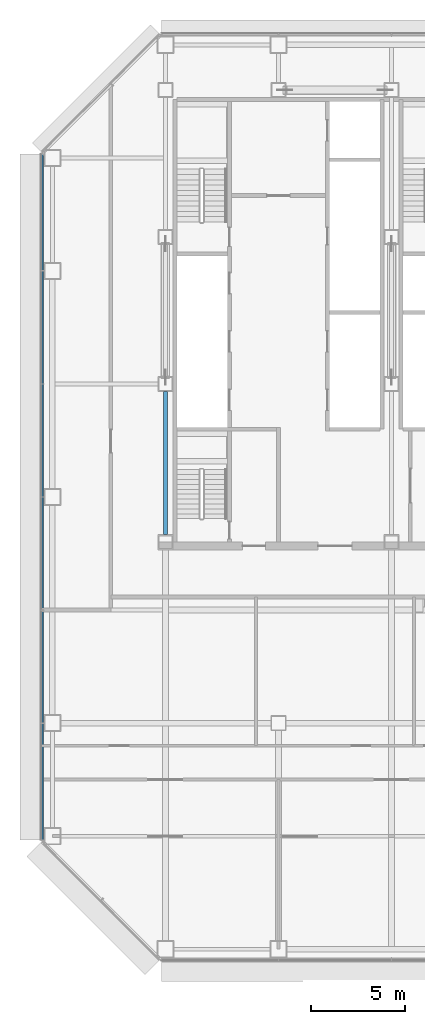
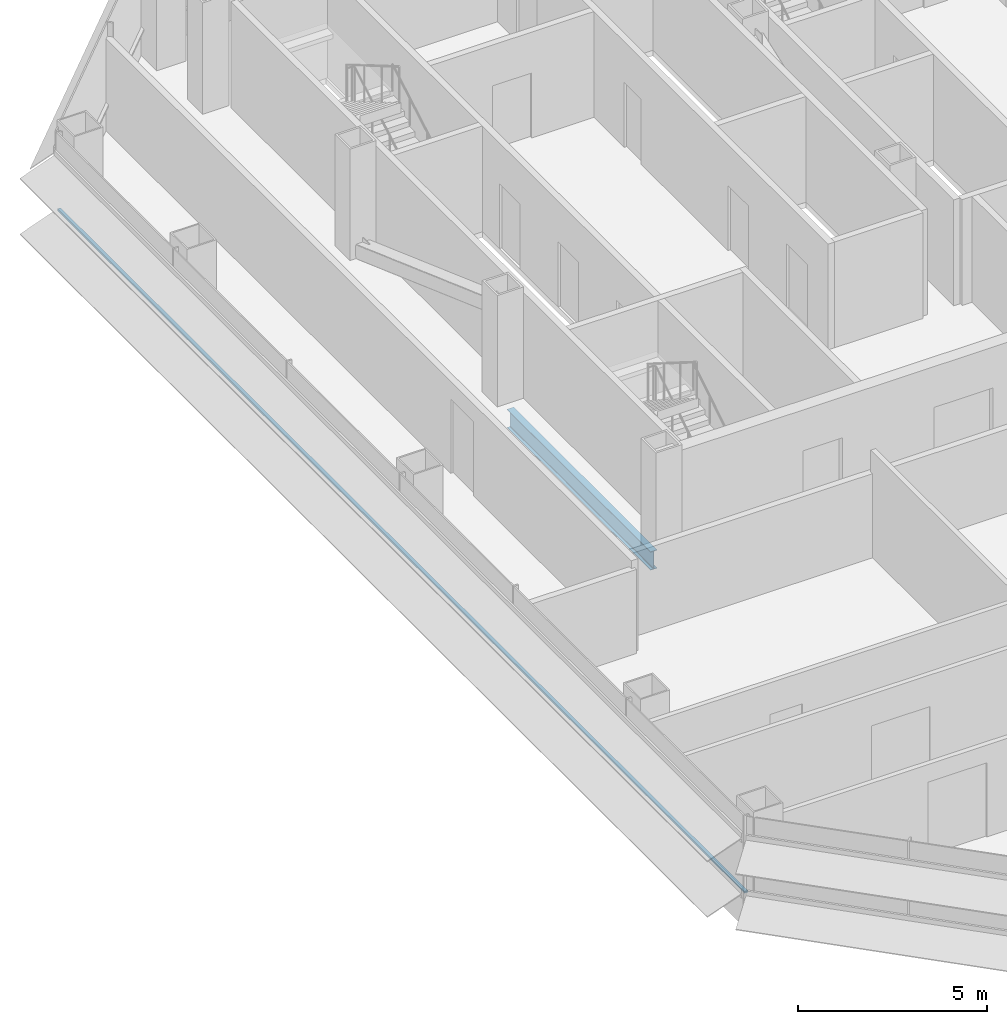
# One storey, part 5 of 26: 1 beam, 1 member, 1 element without a shape of its own.
"""IFC4 building model written with IfcOpenShell, lengths in metres."""

from ifc_helpers import new_model, si_unit, direction, frame, origin, origin_2d, place, context, subcontext, project, spatial, rectangle, i_section, extrude, material, material_profile, profile_set, type_object, element, aggregate, save


model = new_model("IFC4")

# Units and contexts
model_context = context("Model", 3, precision=1e-05, world=origin(), true_north=direction((0.0, 1.0)))
body_context = subcontext(model_context, "Body", "Model", "MODEL_VIEW")
ifc_project = project(units=[si_unit("LENGTHUNIT", "METRE"), si_unit("AREAUNIT", "SQUARE_METRE"), si_unit("VOLUMEUNIT", "CUBIC_METRE"), si_unit("PLANEANGLEUNIT", "RADIAN"), si_unit("MASSUNIT", "GRAM", prefix="KILO")], contexts=[model_context])

# Site, building, storey
site_placement = place(None, origin())
site = spatial("IfcSite", under=ifc_project, at=site_placement, CompositionType="ELEMENT")
building_placement = place(site_placement, origin())
building = spatial("IfcBuilding", under=site, at=building_placement, Name="Sorahane Residences", CompositionType="ELEMENT")
storey_placement = place(building_placement, frame((0.0, 0.0, 67.800048828125)))
storey = spatial("IfcBuildingStorey", under=building, at=storey_placement, Name="L13", CompositionType="ELEMENT", Elevation=67.800048828125)

# Curtain wall, member
ifc_material_1 = material(Name="Dark low-e glass and black anodised aluminium", Category="aluminium")
curtain_wall_type = type_object("IfcCurtainWallType", Name="Curtain wall CW-1 Typical unitised wall", PredefinedType="NOTDEFINED", material=ifc_material_1)
curtain_wall_placement = place(storey_placement, origin())
curtain_wall = element("IfcCurtainWall", 1, at=curtain_wall_placement, inside=storey, type_object=curtain_wall_type, Name="CW-1 curtain wall L13 W1", PredefinedType="NOTDEFINED")
ifc_material_2 = material(Name="Black anodised aluminium", Category="aluminium")
ifc_material_profile_1 = material_profile(ifc_material_2, rectangle(XDim=0.10009765625, YDim=0.06005859375, at=origin_2d()), Name="Curtain wall transom CW-1 black anodised aluminium 60x100")
ifc_profile_set_1 = profile_set([ifc_material_profile_1], Name="Black anodised aluminium")
member_type = type_object("IfcMemberType", Name="Curtain wall transom CW-1 black anodised aluminium 60x100", PredefinedType="USERDEFINED", material=ifc_profile_set_1)
member_placement = place(storey_placement, frame((-0.530029296875, 42.198486328125, 0.89990234375), z_axis=(0.0, -1.0, 0.0), x_axis=(1.0, 0.0, 0.0)))
member = element("IfcMember", 2, at=member_placement, type_object=member_type, Name="CW-1 transom L13 W1", ObjectType="TRANSOM", PredefinedType="USERDEFINED", context=body_context, shape_type="SweptSolid", body=[
    extrude(rectangle(XDim=0.10009765625, YDim=0.06005859375, at=origin_2d()), origin(), (0.0, 0.0, 1.0), 36.39697265625),
])
aggregate(curtain_wall, [member])

# Beam
ifc_material_3 = material(Name="Steel Q355B", Category="steel")
ifc_material_profile_2 = material_profile(ifc_material_3, i_section(OverallWidth=0.199951171875, OverallDepth=0.60009765625, WebThickness=0.010986328125, FlangeThickness=0.01708984375, FilletRadius=0.02392578125, at=origin_2d()), Name="HN 600x200x11x17")
ifc_profile_set_2 = profile_set([ifc_material_profile_2], Name="Steel Q355B")
beam_type = type_object("IfcBeamType", Name="Steel floor beam HN 600x200x11x17 Q355B", PredefinedType="BEAM", material=ifc_profile_set_2)
beam_placement = place(storey_placement, frame((6.0, 22.0, -0.47998046875), z_axis=(0.0, 1.0, 0.0), x_axis=(-1.0, 0.0, 0.0)))
element("IfcBeam", 3, at=beam_placement, inside=storey, type_object=beam_type, Name="Beam L13 023", PredefinedType="BEAM", context=body_context, shape_type="SweptSolid", body=[
    extrude(i_section(OverallWidth=0.199951171875, OverallDepth=0.60009765625, WebThickness=0.010986328125, FlangeThickness=0.01708984375, FilletRadius=0.02392578125, at=origin_2d()), origin(), (0.0, 0.0, 1.0), 7.60009765625),
])

save(model, "model.ifc")
